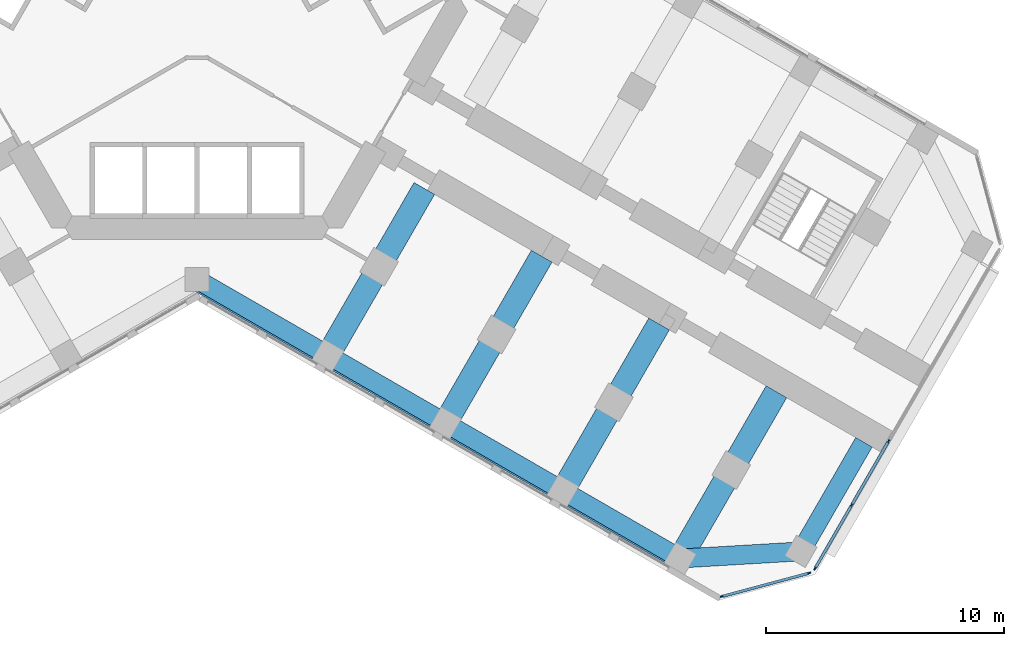
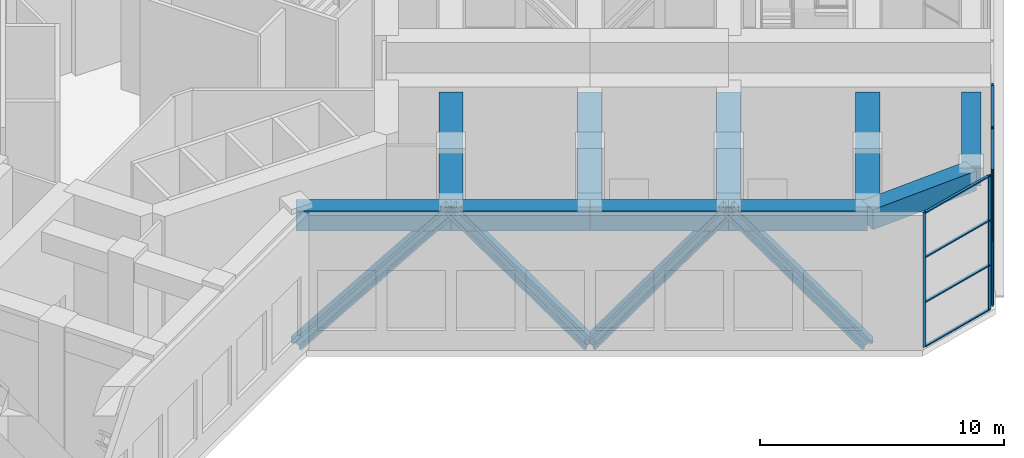
# One storey, part 5 of 17: 19 members, 10 beams, 2 elements without a shape of their own.
"""IFC4 building model written with IfcOpenShell, lengths in metres."""

from ifc_helpers import new_model, si_unit, direction, frame, origin, origin_2d, place, context, subcontext, project, spatial, rectangle, i_section, extrude, material, material_profile, profile_set, type_object, element, aggregate, save


model = new_model("IFC4")

# Units and contexts
model_context = context("Model", 3, precision=1e-05, world=origin(), true_north=direction((0.0, 1.0)))
body_context = subcontext(model_context, "Body", "Model", "MODEL_VIEW")
ifc_project = project(units=[si_unit("LENGTHUNIT", "METRE"), si_unit("AREAUNIT", "SQUARE_METRE"), si_unit("VOLUMEUNIT", "CUBIC_METRE"), si_unit("PLANEANGLEUNIT", "RADIAN"), si_unit("MASSUNIT", "GRAM", prefix="KILO")], contexts=[model_context])

# Site, building, storey
site_placement = place(None, origin())
site = spatial("IfcSite", under=ifc_project, at=site_placement, CompositionType="ELEMENT")
building_placement = place(site_placement, origin())
building = spatial("IfcBuilding", under=site, at=building_placement, Name="Kosmar Iwan School Tower", CompositionType="ELEMENT")
storey_placement = place(building_placement, frame((0.0, 0.0, 113.199951171875)))
storey = spatial("IfcBuildingStorey", under=building, at=storey_placement, Name="L28", CompositionType="ELEMENT", Elevation=113.199951171875)

# Members
ifc_material_1 = material(Name="Steel S355", Category="steel")
ifc_material_profile_1 = material_profile(ifc_material_1, i_section(OverallWidth=0.4541015625, OverallDepth=0.569091796875, WebThickness=0.077880859375, FlangeThickness=0.125, FilletRadius=0.014892578125, at=origin_2d()), Name="HD 400x1086")
ifc_profile_set_1 = profile_set([ifc_material_profile_1], Name="Steel S355")
member_type_1 = type_object("IfcMemberType", Name="Belt truss diagonal HD 400x1086", PredefinedType="BRACE", material=ifc_profile_set_1)
member_1_placement = place(storey_placement, frame((-0.12158203125, -11.98828125, 0.0), z_axis=(0.592053277807, -0.341839660666, 0.729807209223), x_axis=(0.500019243575, 0.866014293216, 0.0)))
element("IfcMember", 1, at=member_1_placement, inside=storey, type_object=member_type_1, Name="Belt truss diagonal CR1", PredefinedType="BRACE", context=body_context, shape_type="SweptSolid", body=[
    extrude(i_section(OverallWidth=0.4541015625, OverallDepth=0.569091796875, WebThickness=0.077880859375, FlangeThickness=0.125, FilletRadius=0.014892578125, at=origin_2d()), origin(), (0.0, 0.0, 1.0), 9.304443359375),
])
for number, where, z_axis, x_axis, name in (
    (2, (5.38720703125, -15.1689453125, 6.79052734375), (0.556805965023, -0.321443918384, -0.765924881858), (0.499967155389, 0.866044365799, 0.0), "Belt truss diagonal CR2"),
    (3, (10.32373046875, -18.018798828125, 0.0), (0.556782035873, -0.321473539086, 0.76592984548), (0.50001782563, 0.866015111908, 0.0), "Belt truss diagonal CR3"),
    (4, (15.260009765625, -20.868896484375, 6.79052734375), (0.556782035873, -0.321473539086, -0.76592984548), (0.50001782563, 0.866015111908, 0.0), "Belt truss diagonal CR4"),
):
    element("IfcMember", number, at=place(storey_placement, frame(where, z_axis=z_axis, x_axis=x_axis)), inside=storey, type_object=member_type_1, Name=name, PredefinedType="BRACE", context=body_context, shape_type="SweptSolid", body=[
        extrude(i_section(OverallWidth=0.4541015625, OverallDepth=0.569091796875, WebThickness=0.077880859375, FlangeThickness=0.125, FilletRadius=0.014892578125, at=origin_2d()), origin(), (0.0, 0.0, 1.0), 8.86572265625),
    ])

# Beams
ifc_material_2 = material(Name="Concrete C50/60", Category="concrete")
ifc_material_profile_2 = material_profile(ifc_material_2, rectangle(XDim=0.800048828125, YDim=1.0, at=origin_2d()), Name="RC 800x1000 + HD 400x634")
ifc_profile_set_2 = profile_set([ifc_material_profile_2], Name="Concrete C50/60")
beam_type_1 = type_object("IfcBeamType", Name="Composite edge beam 800x1000 HD 400x634", PredefinedType="BEAM", material=ifc_profile_set_2)
beam_1_placement = place(storey_placement, frame((0.0, -11.77783203125, 6.25), z_axis=(0.866014293216, -0.500019243575, 0.0), x_axis=(0.500019243575, 0.866014293216, 0.0)))
element("IfcBeam", 5, at=beam_1_placement, inside=storey, type_object=beam_type_1, Name="Edge beam CR1", PredefinedType="BEAM", context=body_context, shape_type="SweptSolid", body=[
    extrude(rectangle(XDim=0.800048828125, YDim=1.0, at=origin_2d()), origin(), (0.0, 0.0, 1.0), 6.361083984375),
])
beam_2_placement = place(storey_placement, frame((5.5087890625, -14.95849609375, 6.25), z_axis=(0.866033658841, -0.49998570155, 0.0), x_axis=(0.49998570155, 0.866033658841, 0.0)))
element("IfcBeam", 6, at=beam_2_placement, inside=storey, type_object=beam_type_1, Name="Edge beam CR2", PredefinedType="BEAM", context=body_context, shape_type="SweptSolid", body=[
    extrude(rectangle(XDim=0.800048828125, YDim=1.0, at=origin_2d()), origin(), (0.0, 0.0, 1.0), 5.699951171875),
])
beam_3_placement = place(storey_placement, frame((10.445068359375, -17.808349609375, 6.25), z_axis=(0.866025820012, -0.499999279071, 0.0), x_axis=(0.499999279071, 0.866025820012, 0.0)))
element("IfcBeam", 7, at=beam_3_placement, inside=storey, type_object=beam_type_1, Name="Edge beam CR3", PredefinedType="BEAM", context=body_context, shape_type="SweptSolid", body=[
    extrude(rectangle(XDim=0.800048828125, YDim=1.0, at=origin_2d()), origin(), (0.0, 0.0, 1.0), 5.7001953125),
])
beam_4_placement = place(storey_placement, frame((15.381591796875, -20.658447265625, 6.25), z_axis=(0.866015111908, -0.50001782563, 0.0), x_axis=(0.50001782563, 0.866015111908, 0.0)))
element("IfcBeam", 8, at=beam_4_placement, inside=storey, type_object=beam_type_1, Name="Edge beam CR4", PredefinedType="BEAM", context=body_context, shape_type="SweptSolid", body=[
    extrude(rectangle(XDim=0.800048828125, YDim=1.0, at=origin_2d()), origin(), (0.0, 0.0, 1.0), 5.699951171875),
])
ifc_material_3 = material(Name="Concrete C50/60", Category="concrete")
ifc_material_profile_3 = material_profile(ifc_material_3, rectangle(XDim=1.0, YDim=1.0, at=origin_2d()), Name="RC 1000x1000 + HD 400x347")
ifc_profile_set_3 = profile_set([ifc_material_profile_3], Name="Concrete C50/60")
beam_type_2 = type_object("IfcBeamType", Name="Composite transverse beam 1000x1000 HD 400x347", PredefinedType="BEAM", material=ifc_profile_set_3)
beam_5_placement = place(storey_placement, frame((5.5087890625, -14.95849609375, 6.25), z_axis=(0.499999880539, 0.866025472755, 0.0), x_axis=(-0.866025472755, 0.499999880539, 0.0)))
element("IfcBeam", 9, at=beam_5_placement, inside=storey, type_object=beam_type_2, Name="Transverse beam CR1", PredefinedType="BEAM", context=body_context, shape_type="SweptSolid", body=[
    extrude(rectangle(XDim=1.0, YDim=1.0, at=origin_2d()), origin(), (0.0, 0.0, 1.0), 8.10009765625),
])
beam_6_placement = place(storey_placement, frame((10.445068359375, -17.808349609375, 6.25), z_axis=(0.500012932018, 0.866017937352, 0.0), x_axis=(-0.866017937352, 0.500012932018, 0.0)))
element("IfcBeam", 10, at=beam_6_placement, inside=storey, type_object=beam_type_2, Name="Transverse beam CR2", PredefinedType="BEAM", context=body_context, shape_type="SweptSolid", body=[
    extrude(rectangle(XDim=1.0, YDim=1.0, at=origin_2d()), origin(), (0.0, 0.0, 1.0), 8.099853515625),
])
for number, where, z_axis, x_axis, name in (
    (11, (15.381591796875, -20.658447265625, 6.25), (0.499977274689, 0.866038523851, 0.0), (-0.866038523851, 0.499977274689, 0.0), "Transverse beam CR3"),
    (12, (20.31787109375, -23.508544921875, 6.25), (0.499999880539, 0.866025472755, 0.0), (-0.866025472755, 0.499999880539, 0.0), "Transverse beam CR4"),
):
    element("IfcBeam", number, at=place(storey_placement, frame(where, z_axis=z_axis, x_axis=x_axis)), inside=storey, type_object=beam_type_2, Name=name, PredefinedType="BEAM", context=body_context, shape_type="SweptSolid", body=[
        extrude(rectangle(XDim=1.0, YDim=1.0, at=origin_2d()), origin(), (0.0, 0.0, 1.0), 8.10009765625),
    ])

# Curtain wall, members
ifc_material_4 = material(Name="Dark glass in black aluminium frame", Category="aluminium")
curtain_wall_type_1 = type_object("IfcCurtainWallType", Name="Chamfer curtain wall dark glass", PredefinedType="USERDEFINED", material=ifc_material_4)
curtain_wall_1_placement = place(storey_placement, origin())
curtain_wall_1 = element("IfcCurtainWall", 13, at=curtain_wall_1_placement, inside=storey, type_object=curtain_wall_type_1, Name="Curtain wall L28-F02", ObjectType="FACETED CURTAIN WALL", PredefinedType="USERDEFINED")
ifc_material_5 = material(Name="Black anodised aluminium", Category="aluminium")
ifc_material_profile_4 = material_profile(ifc_material_5, rectangle(XDim=0.06005859375, YDim=0.159912109375, at=origin_2d()), Name="MULLION 60x160")
ifc_profile_set_4 = profile_set([ifc_material_profile_4], Name="Black anodised aluminium")
member_type_2 = type_object("IfcMemberType", Name="Mullion 60x160", PredefinedType="MULLION", material=ifc_profile_set_4)
member_2_placement = place(storey_placement, frame((22.0830078125, -25.102294921875, 0.0), z_axis=(0.0, 0.0, 1.0), x_axis=(-0.258818861462, 0.965925875495, 0.0)))
member_2 = element("IfcMember", 14, at=member_2_placement, type_object=member_type_2, Name="CW2 mullion 1", PredefinedType="MULLION", context=body_context, shape_type="SweptSolid", body=[
    extrude(rectangle(XDim=0.06005859375, YDim=0.159912109375, at=origin_2d()), origin(), (0.0, 0.0, 1.0), 6.75),
])
member_3_placement = place(storey_placement, frame((25.733154296875, -24.124267578125, 0.0), z_axis=(0.0, 0.0, 1.0), x_axis=(-0.258818861462, 0.965925875495, 0.0)))
member_3 = element("IfcMember", 15, at=member_3_placement, type_object=member_type_2, Name="CW2 mullion 2", PredefinedType="MULLION", context=body_context, shape_type="SweptSolid", body=[
    extrude(rectangle(XDim=0.06005859375, YDim=0.159912109375, at=origin_2d()), origin(), (0.0, 0.0, 1.0), 6.75),
])

ifc_material_6 = material(Name="Black aluminium louvres and glass", Category="aluminium")
curtain_wall_type_2 = type_object("IfcCurtainWallType", Name="Plant floor louvred curtain wall", PredefinedType="USERDEFINED", material=ifc_material_6)
curtain_wall_2_placement = place(storey_placement, origin())
curtain_wall_2 = element("IfcCurtainWall", 16, at=curtain_wall_2_placement, inside=storey, type_object=curtain_wall_type_2, Name="Curtain wall L28-F03", ObjectType="LOUVRED CURTAIN WALL", PredefinedType="USERDEFINED")
member_4_placement = place(storey_placement, frame((25.9970703125, -23.921630859375, 0.0), z_axis=(0.0, 0.0, 1.0), x_axis=(-0.866025405329, 0.499999997325, 0.0)))
member_4 = element("IfcMember", 17, at=member_4_placement, type_object=member_type_2, Name="CW4 mullion 1", PredefinedType="MULLION", context=body_context, shape_type="SweptSolid", body=[
    extrude(rectangle(XDim=0.06005859375, YDim=0.159912109375, at=origin_2d()), origin(), (0.0, 0.0, 1.0), 6.75),
])
member_5_placement = place(storey_placement, frame((27.53173828125, -21.263671875, 0.0), z_axis=(0.0, 0.0, 1.0), x_axis=(-0.866025405329, 0.499999997325, 0.0)))
member_5 = element("IfcMember", 18, at=member_5_placement, type_object=member_type_2, Name="CW4 mullion 2", PredefinedType="MULLION", context=body_context, shape_type="SweptSolid", body=[
    extrude(rectangle(XDim=0.06005859375, YDim=0.159912109375, at=origin_2d()), origin(), (0.0, 0.0, 1.0), 6.75),
])
member_6_placement = place(storey_placement, frame((29.081298828125, -18.57958984375, 0.0), z_axis=(0.0, 0.0, 1.0), x_axis=(-0.866025405329, 0.499999997325, 0.0)))
member_6 = element("IfcMember", 19, at=member_6_placement, type_object=member_type_2, Name="CW4 mullion 3", PredefinedType="MULLION", context=body_context, shape_type="SweptSolid", body=[
    extrude(rectangle(XDim=0.06005859375, YDim=0.159912109375, at=origin_2d()), origin(), (0.0, 0.0, 1.0), 6.75),
])

# Beams
ifc_material_7 = material(Name="Concrete C50/60", Category="concrete")
ifc_material_profile_5 = material_profile(ifc_material_7, rectangle(XDim=0.800048828125, YDim=1.0, at=origin_2d()), Name="RC 800x1000")
ifc_profile_set_5 = profile_set([ifc_material_profile_5], Name="Concrete C50/60")
beam_type_3 = type_object("IfcBeamType", Name="RC tip beam 800x1000", PredefinedType="BEAM", material=ifc_profile_set_5)
beam_7_placement = place(storey_placement, frame((20.31787109375, -23.508544921875, 6.25), z_axis=(0.998260616478, 0.058955420358, 0.0), x_axis=(-0.058955420358, 0.998260616478, 0.0)))
element("IfcBeam", 20, at=beam_7_placement, inside=storey, type_object=beam_type_3, Name="Tip beam CR", PredefinedType="BEAM", context=body_context, shape_type="SweptSolid", body=[
    extrude(rectangle(XDim=0.800048828125, YDim=1.0, at=origin_2d()), origin(), (0.0, 0.0, 1.0), 5.08935546875),
])
beam_8_placement = place(storey_placement, frame((25.3984375, -23.20849609375, 6.25), z_axis=(0.499993606316, 0.866029095148, 0.0), x_axis=(-0.866029095148, 0.499993606316, 0.0)))
element("IfcBeam", 21, at=beam_8_placement, inside=storey, type_object=beam_type_3, Name="Tip beam CR to corridor wall", PredefinedType="BEAM", context=body_context, shape_type="SweptSolid", body=[
    extrude(rectangle(XDim=0.800048828125, YDim=1.0, at=origin_2d()), origin(), (0.0, 0.0, 1.0), 5.2998046875),
])

# Member
ifc_material_8 = material(Name="Black anodised aluminium", Category="aluminium")
ifc_material_profile_6 = material_profile(ifc_material_8, rectangle(XDim=0.1201171875, YDim=0.06005859375, at=origin_2d()), Name="TRANSOM 60x120")
ifc_profile_set_6 = profile_set([ifc_material_profile_6], Name="Black anodised aluminium")
member_type_3 = type_object("IfcMemberType", Name="Transom 60x120", PredefinedType="USERDEFINED", material=ifc_profile_set_6)
member_7_placement = place(storey_placement, frame((22.11181640625, -25.094482421875, 0.030029296875), z_axis=(0.965923731726, 0.258826861991, 0.0), x_axis=(-0.258826861991, 0.965923731726, 0.0)))
member_7 = element("IfcMember", 22, at=member_7_placement, type_object=member_type_3, Name="CW2 transom 1.1", ObjectType="TRANSOM", PredefinedType="USERDEFINED", context=body_context, shape_type="SweptSolid", body=[
    extrude(rectangle(XDim=0.1201171875, YDim=0.06005859375, at=origin_2d()), origin(), (0.0, 0.0, 1.0), 3.71923828125),
])

member_8_placement = place(storey_placement, frame((22.11181640625, -25.094482421875, 2.25), z_axis=(0.965923731726, 0.258826861991, 0.0), x_axis=(-0.258826861991, 0.965923731726, 0.0)))
member_8 = element("IfcMember", 23, at=member_8_placement, type_object=member_type_3, Name="CW2 transom 1.2", ObjectType="TRANSOM", PredefinedType="USERDEFINED", context=body_context, shape_type="SweptSolid", body=[
    extrude(rectangle(XDim=0.1201171875, YDim=0.06005859375, at=origin_2d()), origin(), (0.0, 0.0, 1.0), 3.71923828125),
])

member_9_placement = place(storey_placement, frame((22.11181640625, -25.094482421875, 4.5), z_axis=(0.965923731726, 0.258826861991, 0.0), x_axis=(-0.258826861991, 0.965923731726, 0.0)))
member_9 = element("IfcMember", 24, at=member_9_placement, type_object=member_type_3, Name="CW2 transom 1.3", ObjectType="TRANSOM", PredefinedType="USERDEFINED", context=body_context, shape_type="SweptSolid", body=[
    extrude(rectangle(XDim=0.1201171875, YDim=0.06005859375, at=origin_2d()), origin(), (0.0, 0.0, 1.0), 3.71923828125),
])

member_10_placement = place(storey_placement, frame((22.11181640625, -25.094482421875, 6.719970703125), z_axis=(0.965923731726, 0.258826861991, 0.0), x_axis=(-0.258826861991, 0.965923731726, 0.0)))
member_10 = element("IfcMember", 25, at=member_10_placement, type_object=member_type_3, Name="CW2 transom 1.4", ObjectType="TRANSOM", PredefinedType="USERDEFINED", context=body_context, shape_type="SweptSolid", body=[
    extrude(rectangle(XDim=0.1201171875, YDim=0.06005859375, at=origin_2d()), origin(), (0.0, 0.0, 1.0), 3.71923828125),
])

aggregate(curtain_wall_1, [member_2, member_3, member_7, member_8, member_9, member_10])

member_11_placement = place(storey_placement, frame((26.01220703125, -23.895751953125, 0.030029296875), z_axis=(0.499986971506, 0.866032925658, 0.0), x_axis=(-0.866032925658, 0.499986971506, 0.0)))
member_11 = element("IfcMember", 26, at=member_11_placement, type_object=member_type_3, Name="CW4 transom 1.1", ObjectType="TRANSOM", PredefinedType="USERDEFINED", context=body_context, shape_type="SweptSolid", body=[
    extrude(rectangle(XDim=0.1201171875, YDim=0.06005859375, at=origin_2d()), origin(), (0.0, 0.0, 1.0), 3.00927734375),
])

member_12_placement = place(storey_placement, frame((26.01220703125, -23.895751953125, 3.375), z_axis=(0.499986971506, 0.866032925658, 0.0), x_axis=(-0.866032925658, 0.499986971506, 0.0)))
member_12 = element("IfcMember", 27, at=member_12_placement, type_object=member_type_3, Name="CW4 transom 1.2", ObjectType="TRANSOM", PredefinedType="USERDEFINED", context=body_context, shape_type="SweptSolid", body=[
    extrude(rectangle(XDim=0.1201171875, YDim=0.06005859375, at=origin_2d()), origin(), (0.0, 0.0, 1.0), 3.00927734375),
])

member_13_placement = place(storey_placement, frame((26.01220703125, -23.895751953125, 6.719970703125), z_axis=(0.499986971506, 0.866032925658, 0.0), x_axis=(-0.866032925658, 0.499986971506, 0.0)))
member_13 = element("IfcMember", 28, at=member_13_placement, type_object=member_type_3, Name="CW4 transom 1.3", ObjectType="TRANSOM", PredefinedType="USERDEFINED", context=body_context, shape_type="SweptSolid", body=[
    extrude(rectangle(XDim=0.1201171875, YDim=0.06005859375, at=origin_2d()), origin(), (0.0, 0.0, 1.0), 3.00927734375),
])

member_14_placement = place(storey_placement, frame((27.546875, -21.237548828125, 0.030029296875), z_axis=(0.499975102327, 0.866039777986, 0.0), x_axis=(-0.866039777986, 0.499975102327, 0.0)))
member_14 = element("IfcMember", 29, at=member_14_placement, type_object=member_type_3, Name="CW4 transom 2.1", ObjectType="TRANSOM", PredefinedType="USERDEFINED", context=body_context, shape_type="SweptSolid", body=[
    extrude(rectangle(XDim=0.1201171875, YDim=0.06005859375, at=origin_2d()), origin(), (0.0, 0.0, 1.0), 3.039306640625),
])

member_15_placement = place(storey_placement, frame((27.546875, -21.237548828125, 3.375), z_axis=(0.499975102327, 0.866039777986, 0.0), x_axis=(-0.866039777986, 0.499975102327, 0.0)))
member_15 = element("IfcMember", 30, at=member_15_placement, type_object=member_type_3, Name="CW4 transom 2.2", ObjectType="TRANSOM", PredefinedType="USERDEFINED", context=body_context, shape_type="SweptSolid", body=[
    extrude(rectangle(XDim=0.1201171875, YDim=0.06005859375, at=origin_2d()), origin(), (0.0, 0.0, 1.0), 3.039306640625),
])

member_16_placement = place(storey_placement, frame((27.546875, -21.237548828125, 6.719970703125), z_axis=(0.499975102327, 0.866039777986, 0.0), x_axis=(-0.866039777986, 0.499975102327, 0.0)))
member_16 = element("IfcMember", 31, at=member_16_placement, type_object=member_type_3, Name="CW4 transom 2.3", ObjectType="TRANSOM", PredefinedType="USERDEFINED", context=body_context, shape_type="SweptSolid", body=[
    extrude(rectangle(XDim=0.1201171875, YDim=0.06005859375, at=origin_2d()), origin(), (0.0, 0.0, 1.0), 3.039306640625),
])

aggregate(curtain_wall_2, [member_4, member_5, member_6, member_11, member_12, member_13, member_14, member_15, member_16])

save(model, "model.ifc")
